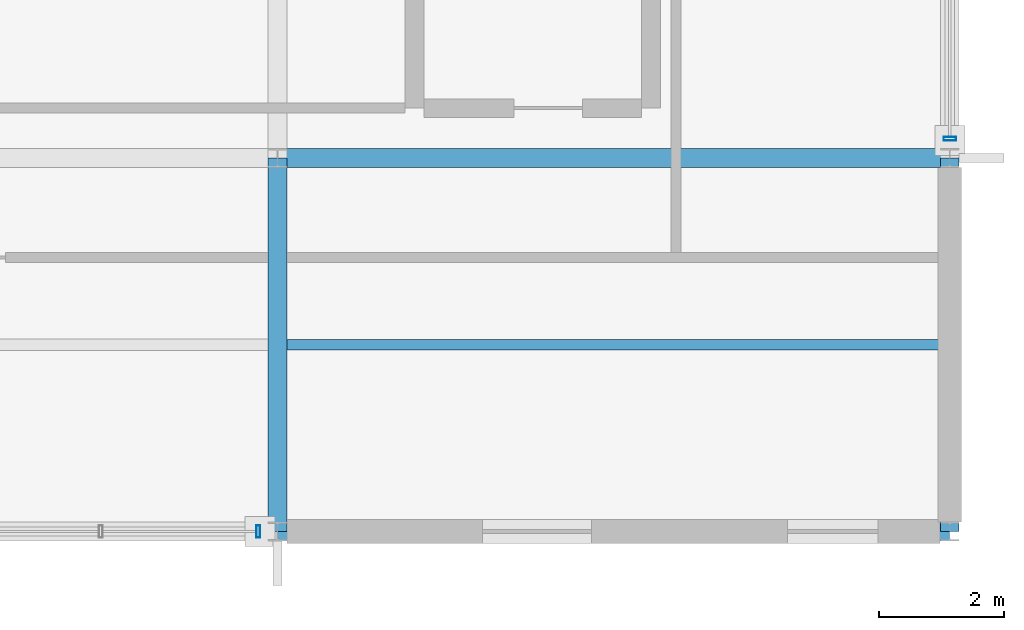
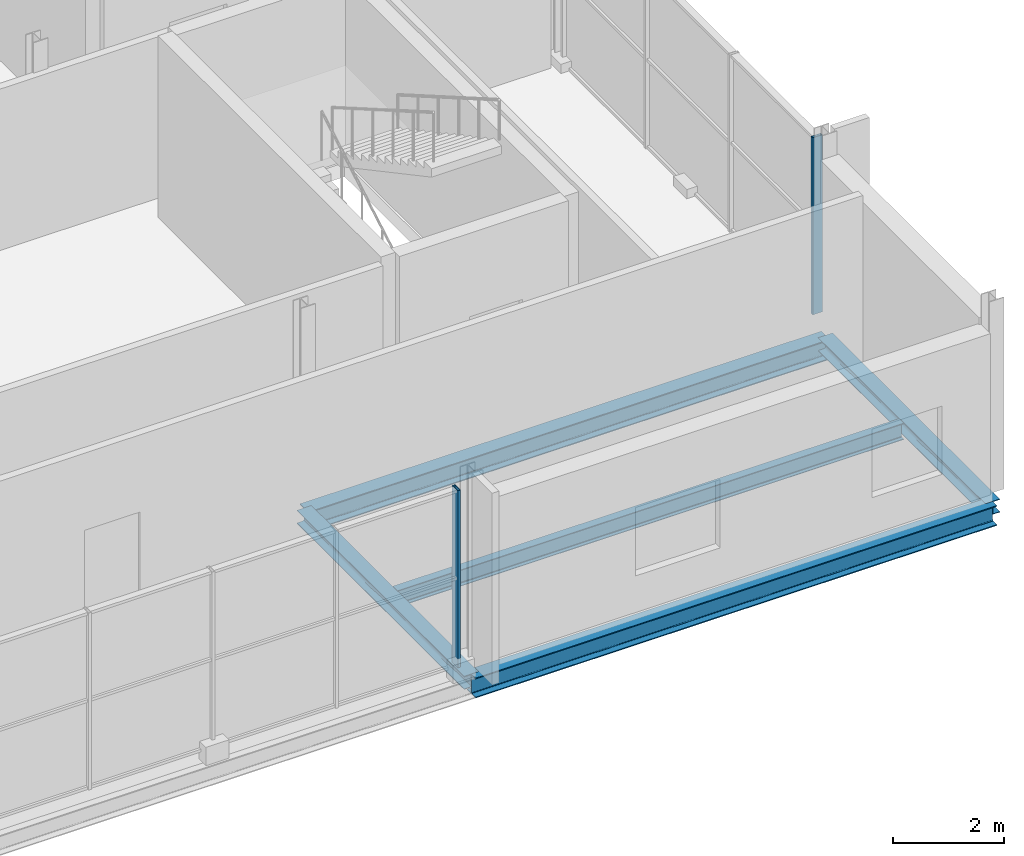
# One storey, part 8 of 13: 5 beams, 2 members, 2 elements without a shape of their own.
"""IFC4 building model written with IfcOpenShell, lengths in metres."""

from ifc_helpers import new_model, si_unit, direction, frame, origin, origin_2d, place, context, subcontext, project, spatial, hollow_rectangle, i_section, extrude, material, material_profile, profile_set, type_object, element, aggregate, save


model = new_model("IFC4")

# Units and contexts
model_context = context("Model", 3, precision=1e-05, world=origin(), true_north=direction((0.0, 1.0)))
body_context = subcontext(model_context, "Body", "Model", "MODEL_VIEW")
ifc_project = project(units=[si_unit("LENGTHUNIT", "METRE"), si_unit("AREAUNIT", "SQUARE_METRE"), si_unit("VOLUMEUNIT", "CUBIC_METRE"), si_unit("PLANEANGLEUNIT", "RADIAN"), si_unit("MASSUNIT", "GRAM", prefix="KILO")], contexts=[model_context])

# Site, building, storey
site_placement = place(None, origin())
site = spatial("IfcSite", under=ifc_project, at=site_placement, CompositionType="ELEMENT")
building_placement = place(site_placement, origin())
building = spatial("IfcBuilding", under=site, at=building_placement, Name="Merenkruunu Market Hall", CompositionType="ELEMENT")
storey_placement = place(building_placement, frame((0.0, 0.0, 14.39990234375)))
storey = spatial("IfcBuildingStorey", under=building, at=storey_placement, Name="L03", CompositionType="ELEMENT", Elevation=14.39990234375)

# Curtain wall, member
ifc_material_1 = material(Name="Powder-coated aluminium", Category="aluminium")
curtain_wall_type = type_object("IfcCurtainWallType", Name="Glazed Curtain Wall CW07", PredefinedType="USERDEFINED", material=ifc_material_1)
curtain_wall_1_placement = place(storey_placement, origin())
curtain_wall_1 = element("IfcCurtainWall", 1, at=curtain_wall_1_placement, inside=storey, type_object=curtain_wall_type, Name="CW-L03-CWM03-220", ObjectType="GLAZED_FACADE", PredefinedType="USERDEFINED")
ifc_material_profile_1 = material_profile(ifc_material_1, hollow_rectangle(XDim=0.06005859375, YDim=0.199951171875, WallThickness=0.0048828125, at=origin_2d()), Name="ALU 60x200x5")
ifc_profile_set_1 = profile_set([ifc_material_profile_1], Name="Powder-coated aluminium")
member_type = type_object("IfcMemberType", Name="Curtain Wall Mullion CWM03", PredefinedType="MULLION", material=ifc_profile_set_1)
member_1_placement = place(storey_placement, frame((180.889892578125, 0.0, 0.0), z_axis=(0.0, 0.0, 1.0), x_axis=(-1.0, 0.0, 0.0)))
member_1 = element("IfcMember", 2, at=member_1_placement, type_object=member_type, Name="CW07 mullion 1", PredefinedType="MULLION", context=body_context, shape_type="SweptSolid", body=[
    extrude(hollow_rectangle(XDim=0.06005859375, YDim=0.199951171875, WallThickness=0.0048828125, at=origin_2d()), origin(), (0.0, 0.0, 1.0), 3.880126953125),
])
aggregate(curtain_wall_1, [member_1])

curtain_wall_2_placement = place(storey_placement, origin())
curtain_wall_2 = element("IfcCurtainWall", 3, at=curtain_wall_2_placement, inside=storey, type_object=curtain_wall_type, Name="CW-L03-CWM03-221", ObjectType="GLAZED_FACADE", PredefinedType="USERDEFINED")
member_2_placement = place(storey_placement, frame((192.0, 6.31005859375, 0.0), z_axis=(0.0, 0.0, 1.0), x_axis=(0.0, -1.0, 0.0)))
member_2 = element("IfcMember", 4, at=member_2_placement, type_object=member_type, Name="CW07 mullion 4", PredefinedType="MULLION", context=body_context, shape_type="SweptSolid", body=[
    extrude(hollow_rectangle(XDim=0.06005859375, YDim=0.199951171875, WallThickness=0.0048828125, at=origin_2d()), origin(), (0.0, 0.0, 1.0), 3.880126953125),
])
aggregate(curtain_wall_2, [member_2])

# Beams
ifc_material_2 = material(Name="Steel S355J2", Category="steel")
ifc_material_profile_2 = material_profile(ifc_material_2, i_section(OverallWidth=0.300048828125, OverallDepth=0.43994140625, WebThickness=0.011474609375, FlangeThickness=0.02099609375, FilletRadius=0.027099609375, at=origin_2d()), Name="HEA 450")
ifc_profile_set_2 = profile_set([ifc_material_profile_2], Name="Steel S355J2")
beam_type_1 = type_object("IfcBeamType", Name="Primary Floor Girder B07", PredefinedType="BEAM", material=ifc_profile_set_2)
for number, where, z_axis, x_axis, name in (
    (5, (181.199951171875, 0.0, -0.52978515625), (1.0, 0.0, 0.0), (0.0, 1.0, 0.0), "BM-L03-B07-0858"),
    (6, (181.199951171875, 6.0, -0.52978515625), (1.0, 0.0, 0.0), (0.0, 1.0, 0.0), "BM-L03-B07-0862"),
):
    element("IfcBeam", number, at=place(storey_placement, frame(where, z_axis=z_axis, x_axis=x_axis)), inside=storey, type_object=beam_type_1, Name=name, PredefinedType="BEAM", context=body_context, shape_type="SweptSolid", body=[
        extrude(i_section(OverallWidth=0.300048828125, OverallDepth=0.43994140625, WebThickness=0.011474609375, FlangeThickness=0.02099609375, FilletRadius=0.027099609375, at=origin_2d()), origin(), (0.0, 0.0, 1.0), 10.800048828125),
    ])
ifc_material_profile_3 = material_profile(ifc_material_2, i_section(OverallWidth=0.300048828125, OverallDepth=0.2900390625, WebThickness=0.008544921875, FlangeThickness=0.013916015625, FilletRadius=0.027099609375, at=origin_2d()), Name="HEA 300")
ifc_profile_set_3 = profile_set([ifc_material_profile_3], Name="Steel S355J2")
beam_type_2 = type_object("IfcBeamType", Name="Primary Floor Girder B09", PredefinedType="BEAM", material=ifc_profile_set_3)
for number, where, z_axis, x_axis, name in (
    (7, (181.199951171875, 0.0, -0.454833984375), (0.0, 1.0, 0.0), (-1.0, 0.0, 0.0), "BM-L03-B09-0887"),
    (8, (192.0, 0.0, -0.454833984375), (0.0, 1.0, 0.0), (-1.0, 0.0, 0.0), "BM-L03-B09-0891"),
):
    element("IfcBeam", number, at=place(storey_placement, frame(where, z_axis=z_axis, x_axis=x_axis)), inside=storey, type_object=beam_type_2, Name=name, PredefinedType="BEAM", context=body_context, shape_type="SweptSolid", body=[
        extrude(i_section(OverallWidth=0.300048828125, OverallDepth=0.2900390625, WebThickness=0.008544921875, FlangeThickness=0.013916015625, FilletRadius=0.027099609375, at=origin_2d()), origin(), (0.0, 0.0, 1.0), 6.0),
    ])
ifc_material_profile_4 = material_profile(ifc_material_2, i_section(OverallWidth=0.169921875, OverallDepth=0.360107421875, WebThickness=0.008056640625, FlangeThickness=0.0126953125, FilletRadius=0.01806640625, at=origin_2d()), Name="IPE 360")
ifc_profile_set_4 = profile_set([ifc_material_profile_4], Name="Steel S355J2")
beam_type_3 = type_object("IfcBeamType", Name="Secondary Floor Joist J03", PredefinedType="JOIST", material=ifc_profile_set_4)
beam_placement = place(storey_placement, frame((181.35302734375, 3.0, -0.489990234375), z_axis=(1.0, 0.0, 0.0), x_axis=(0.0, 1.0, 0.0)))
element("IfcBeam", 9, at=beam_placement, inside=storey, type_object=beam_type_3, Name="BM-L03-J03-0912", PredefinedType="JOIST", context=body_context, shape_type="SweptSolid", body=[
    extrude(i_section(OverallWidth=0.169921875, OverallDepth=0.360107421875, WebThickness=0.008056640625, FlangeThickness=0.0126953125, FilletRadius=0.01806640625, at=origin_2d()), origin(), (0.0, 0.0, 1.0), 10.493896484375),
])

save(model, "model.ifc")
